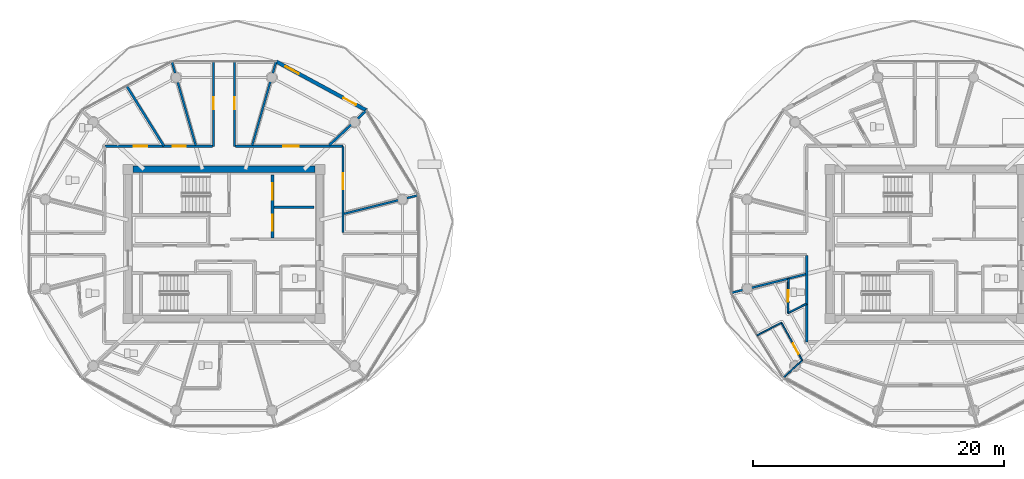
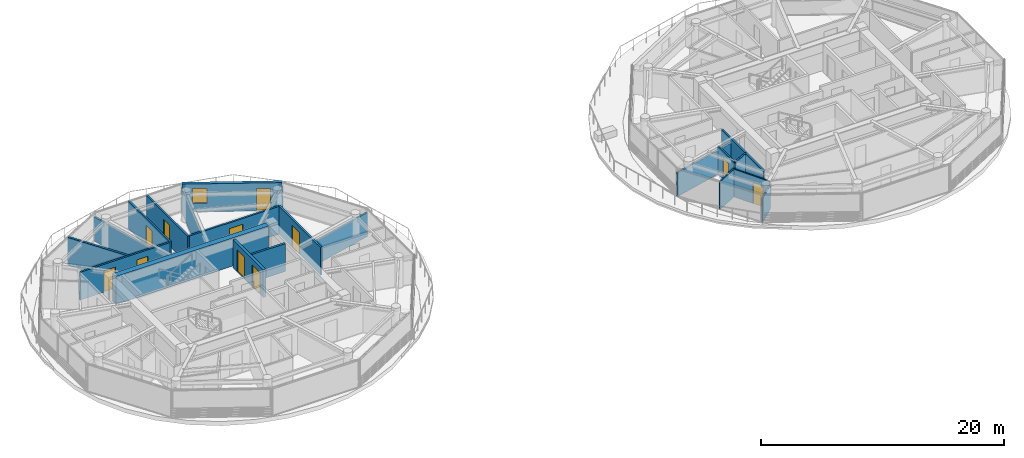
# One storey, part 12 of 28: 21 walls, 11 doors, 1 window, 12 openings.
"""IFC4 building model written with IfcOpenShell, lengths in metres."""

from ifc_helpers import new_model, si_unit, direction, frame, frame_2d, origin, place, context, subcontext, project, spatial, rectangle, extrude, source, transform, mapped, material, layer, layer_set, type_object, type_shapes, element, fill, save


model = new_model("IFC4")

# Units and contexts
model_context = context("Model", 3, precision=1e-05, world=origin(), true_north=direction((0.0, 1.0)))
body_context = subcontext(model_context, "Body", "Model", "MODEL_VIEW")
ifc_project = project(units=[si_unit("LENGTHUNIT", "METRE"), si_unit("AREAUNIT", "SQUARE_METRE"), si_unit("VOLUMEUNIT", "CUBIC_METRE"), si_unit("PLANEANGLEUNIT", "RADIAN"), si_unit("MASSUNIT", "GRAM", prefix="KILO")], contexts=[model_context])

# Site, building, storey
site_placement = place(None, origin())
site = spatial("IfcSite", under=ifc_project, at=site_placement, CompositionType="ELEMENT")
building_placement = place(site_placement, origin())
building = spatial("IfcBuilding", under=site, at=building_placement, Name="Norrkilde Senior Care Towers", CompositionType="ELEMENT")
storey_placement = place(building_placement, frame((0.0, 0.0, 190.64990234375)))
storey = spatial("IfcBuildingStorey", under=building, at=storey_placement, Name="L59", CompositionType="ELEMENT", Elevation=190.64990234375)

# Wall
ifc_material_1 = material(Name="Concrete C50/60", Category="concrete")
ifc_layer_1 = layer(ifc_material_1, 0.52001953125)
ifc_layer_set_1 = layer_set([ifc_layer_1], Name="Concrete C50/60")
wall_type_1 = type_object("IfcWallType", Name="Core Shear Wall Z4 520", PredefinedType="SHEAR", material=ifc_layer_set_1)
shared_shape_1 = source(origin(), body_context, "Body", "SweptSolid", [
    extrude(rectangle(XDim=14.5, YDim=0.52001953125, at=frame_2d((7.25, 0.0))), origin(), (0.0, 0.0, 1.0), 2.81005859375),
])
type_shapes(wall_type_1, [shared_shape_1])
wall_1_placement = place(storey_placement, frame((-35.25, 5.949951171875, 0.0), z_axis=(0.0, 0.0, 1.0), x_axis=(1.0, 0.0, 0.0)))
element("IfcWall", 1, at=wall_1_placement, inside=storey, type_object=wall_type_1, Name="L59 Core W North Shear Wall", PredefinedType="SHEAR", context=body_context, shape_type="MappedRepresentation", body=[
    mapped(shared_shape_1, transform((0.0, 0.0, 0.0), x_axis=(1.0, 0.0, 0.0), y_axis=(0.0, 1.0, 0.0), z_axis=(0.0, 0.0, 1.0), scale=1.0)),
])

# Wall, openings, door, window
ifc_material_2 = material(Name="Precast concrete C45/55", Category="concrete")
ifc_layer_2 = layer(ifc_material_2, 0.2900390625)
ifc_layer_set_2 = layer_set([ifc_layer_2], Name="Precast concrete C45/55")
wall_type_2 = type_object("IfcWallType", Name="Winter Garden Facade Wall 290", PredefinedType="SOLIDWALL", material=ifc_layer_set_2)
shared_shape_2 = source(origin(), body_context, "Body", "SweptSolid", [
    extrude(rectangle(XDim=8.197265625, YDim=0.2900390625, at=frame_2d((4.0986328125, 0.0))), origin(), (0.0, 0.0, 1.0), 2.81005859375),
])
type_shapes(wall_type_2, [shared_shape_2])
wall_2_placement = place(storey_placement, frame((-23.838134765625, 14.566162109375, 0.0), z_axis=(0.0, 0.0, 1.0), x_axis=(0.879369910001, -0.476139224791, 0.0)))
wall_2 = element("IfcWall", 2, at=wall_2_placement, inside=storey, type_object=wall_type_2, Name="L59 Drum W Balcony Access Wall 01", PredefinedType="SOLIDWALL", context=body_context, shape_type="MappedRepresentation", body=[
    mapped(shared_shape_2, transform((0.0, 0.0, 0.0), x_axis=(1.0, 0.0, 0.0), y_axis=(0.0, 1.0, 0.0), z_axis=(0.0, 0.0, 1.0), scale=1.0)),
])
opening_1_placement = place(wall_2_placement, frame((6.10009765625, 0.0, 0.0)))
opening_1 = element("IfcOpeningElement", 3, at=opening_1_placement, cuts=wall_2, Name="Opening D-09", PredefinedType="OPENING", context=body_context, shape_type="SweptSolid", body=[
    extrude(rectangle(XDim=1.14990234375, YDim=2.25, at=frame_2d((0.574951171875, 1.125))), frame((0.0, 0.155029296875, 0.0), z_axis=(0.0, -1.0, 0.0), x_axis=(1.0, 0.0, 0.0)), (0.0, 0.0, 1.0), 0.31005859375),
])
opening_2_placement = place(wall_2_placement, frame((0.85009765625, 0.0, 0.85009765625)))
opening_2 = element("IfcOpeningElement", 4, at=opening_2_placement, cuts=wall_2, Name="Opening WN-07", PredefinedType="OPENING", context=body_context, shape_type="SweptSolid", body=[
    extrude(rectangle(XDim=1.199951171875, YDim=1.5, at=frame_2d((0.60009765625, 0.75))), frame((0.0, 0.155029296875, 0.0), z_axis=(0.0, -1.0, 0.0), x_axis=(1.0, 0.0, 0.0)), (0.0, 0.0, 1.0), 0.31005859375),
])
ifc_material_3 = material(Name="Anodised Aluminium", Category="aluminium")
door_type_1 = type_object("IfcDoorType", Name="Terrace and Balcony Glazed Door 1150x2250", OperationType="NOTDEFINED", PredefinedType="DOOR", material=ifc_material_3)
shared_shape_3 = source(origin(), body_context, "Body", "SweptSolid", [
    extrude(rectangle(XDim=1.14990234375, YDim=2.25, at=frame_2d((0.574951171875, 1.125))), frame((0.0, 0.02490234375, 0.0), z_axis=(0.0, -1.0, 0.0), x_axis=(1.0, 0.0, 0.0)), (0.0, 0.0, 1.0), 0.050048828125),
])
type_shapes(door_type_1, [shared_shape_3])
door_1_placement = place(opening_1_placement, origin())
door_1 = element("IfcDoor", 5, at=door_1_placement, inside=storey, type_object=door_type_1, Name="L59 Drum W Outdoor Terrace Door 01", OperationType="SINGLE_SWING_RIGHT", OverallHeight=2.25, OverallWidth=1.14990234375, PredefinedType="DOOR", context=body_context, shape_type="MappedRepresentation", body=[
    mapped(shared_shape_3, transform((0.0, 0.0, 0.0), x_axis=(1.0, 0.0, 0.0), y_axis=(0.0, 1.0, 0.0), z_axis=(0.0, 0.0, 1.0), scale=1.0)),
])
fill(opening_1, door_1)
ifc_material_4 = material(Name="Triple Low-E Insulated Glazing", Category="glass")
window_type = type_object("IfcWindowType", Name="Stairwell Smoke Vent Window 1200x1500", PartitioningType="SINGLE_PANEL", PredefinedType="WINDOW", material=ifc_material_4)
shared_shape_4 = source(origin(), body_context, "Body", "SweptSolid", [
    extrude(rectangle(XDim=1.199951171875, YDim=1.5, at=frame_2d((0.60009765625, 0.75))), frame((0.0, 0.030029296875, 0.0), z_axis=(0.0, -1.0, 0.0), x_axis=(1.0, 0.0, 0.0)), (0.0, 0.0, 1.0), 0.06005859375),
])
type_shapes(window_type, [shared_shape_4])
window_placement = place(opening_2_placement, origin())
window = element("IfcWindow", 6, at=window_placement, inside=storey, type_object=window_type, Name="L59 Drum W Winter Garden Window 01", OverallHeight=1.5, OverallWidth=1.199951171875, PartitioningType="SINGLE_PANEL", PredefinedType="WINDOW", context=body_context, shape_type="MappedRepresentation", body=[
    mapped(shared_shape_4, transform((0.0, 0.0, 0.0), x_axis=(1.0, 0.0, 0.0), y_axis=(0.0, 1.0, 0.0), z_axis=(0.0, 0.0, 1.0), scale=1.0)),
])
fill(opening_2, window)

# Wall, openings, doors
ifc_material_5 = material(Name="Concrete C45/55", Category="concrete")
ifc_layer_3 = layer(ifc_material_5, 0.239990234375)
ifc_layer_set_3 = layer_set([ifc_layer_3], Name="Concrete C45/55")
wall_type_3 = type_object("IfcWallType", Name="Lift and Plant Rated Enclosure Partition 240", PredefinedType="PARTITIONING", material=ifc_layer_set_3)
shared_shape_5 = source(origin(), body_context, "Body", "SweptSolid", [
    extrude(rectangle(XDim=5.0, YDim=0.239990234375, at=frame_2d((2.5, 0.0))), origin(), (0.0, 0.0, 1.0), 2.795166015625),
])
type_shapes(wall_type_3, [shared_shape_5])
wall_3_placement = place(storey_placement, frame((-24.139892578125, 0.5, 0.0), z_axis=(0.0, 0.0, 1.0), x_axis=(0.0, 1.0, 0.0)))
wall_3 = element("IfcWall", 7, at=wall_3_placement, inside=storey, type_object=wall_type_3, Name="WL-INT-L59-W-FFLE", PredefinedType="PARTITIONING", context=body_context, shape_type="MappedRepresentation", body=[
    mapped(shared_shape_5, transform((0.0, 0.0, 0.0), x_axis=(1.0, 0.0, 0.0), y_axis=(0.0, 1.0, 0.0), z_axis=(0.0, 0.0, 1.0), scale=1.0)),
])
opening_3_placement = place(wall_3_placement, frame((3.050048828125, 0.0, 0.0)))
opening_3 = element("IfcOpeningElement", 8, at=opening_3_placement, cuts=wall_3, Name="Opening LD-02", PredefinedType="OPENING", context=body_context, shape_type="SweptSolid", body=[
    extrude(rectangle(XDim=1.300048828125, YDim=2.199951171875, at=frame_2d((0.64990234375, 1.10009765625))), frame((0.0, 0.1298828125, 0.0), z_axis=(0.0, -1.0, 0.0), x_axis=(1.0, 0.0, 0.0)), (0.0, 0.0, 1.0), 0.260009765625),
])
opening_4_placement = place(wall_3_placement, frame((0.550048828125, 0.0, 0.0)))
opening_4 = element("IfcOpeningElement", 9, at=opening_4_placement, cuts=wall_3, Name="Opening LD-02", PredefinedType="OPENING", context=body_context, shape_type="SweptSolid", body=[
    extrude(rectangle(XDim=1.300048828125, YDim=2.199951171875, at=frame_2d((0.64990234375, 1.10009765625))), frame((0.0, 0.1298828125, 0.0), z_axis=(0.0, -1.0, 0.0), x_axis=(1.0, 0.0, 0.0)), (0.0, 0.0, 1.0), 0.260009765625),
])
ifc_material_6 = material(Name="Stainless Steel", Category="steel")
door_type_2 = type_object("IfcDoorType", Name="Stretcher and FFL Landing Sliding Door 1300x2200", OperationType="NOTDEFINED", PredefinedType="DOOR", material=ifc_material_6)
shared_shape_6 = source(origin(), body_context, "Body", "SweptSolid", [
    extrude(rectangle(XDim=1.300048828125, YDim=2.199951171875, at=frame_2d((0.64990234375, 1.10009765625))), frame((0.0, 0.02490234375, 0.0), z_axis=(0.0, -1.0, 0.0), x_axis=(1.0, 0.0, 0.0)), (0.0, 0.0, 1.0), 0.050048828125),
])
type_shapes(door_type_2, [shared_shape_6])
door_2_placement = place(opening_3_placement, origin())
door_2 = element("IfcDoor", 10, at=door_2_placement, inside=storey, type_object=door_type_2, Name="L59 Firefighting Lift W1 Landing Door", OperationType="SLIDING_TO_LEFT", OverallHeight=2.199951171875, OverallWidth=1.300048828125, PredefinedType="DOOR", context=body_context, shape_type="MappedRepresentation", body=[
    mapped(shared_shape_6, transform((0.0, 0.0, 0.0), x_axis=(1.0, 0.0, 0.0), y_axis=(0.0, 1.0, 0.0), z_axis=(0.0, 0.0, 1.0), scale=1.0)),
])
fill(opening_3, door_2)
door_3_placement = place(opening_4_placement, origin())
door_3 = element("IfcDoor", 11, at=door_3_placement, inside=storey, type_object=door_type_2, Name="L59 Stretcher Lift W1 Landing Door", OperationType="SLIDING_TO_RIGHT", OverallHeight=2.199951171875, OverallWidth=1.300048828125, PredefinedType="DOOR", context=body_context, shape_type="MappedRepresentation", body=[
    mapped(shared_shape_6, transform((0.0, 0.0, 0.0), x_axis=(1.0, 0.0, 0.0), y_axis=(0.0, 1.0, 0.0), z_axis=(0.0, 0.0, 1.0), scale=1.0)),
])
fill(opening_4, door_3)

# Wall
ifc_layer_4 = layer(ifc_material_5, 0.199951171875)
ifc_layer_set_4 = layer_set([ifc_layer_4], Name="Concrete C45/55")
wall_type_4 = type_object("IfcWallType", Name="Shaft Division and Plant Partition 200", PredefinedType="PARTITIONING", material=ifc_layer_set_4)
shared_shape_7 = source(origin(), body_context, "Body", "SweptSolid", [
    extrude(rectangle(XDim=3.199951171875, YDim=0.199951171875, at=frame_2d((1.60009765625, 0.0))), origin(), (0.0, 0.0, 1.0), 2.795166015625),
])
type_shapes(wall_type_4, [shared_shape_7])
wall_4_placement = place(storey_placement, frame((-24.0, 2.949951171875, 0.0), z_axis=(0.0, 0.0, 1.0), x_axis=(1.0, 0.0, 0.0)))
element("IfcWall", 12, at=wall_4_placement, inside=storey, type_object=wall_type_4, Name="WL-INT-L59-W-FFLDIV", PredefinedType="PARTITIONING", context=body_context, shape_type="MappedRepresentation", body=[
    mapped(shared_shape_7, transform((0.0, 0.0, 0.0), x_axis=(1.0, 0.0, 0.0), y_axis=(0.0, 1.0, 0.0), z_axis=(0.0, 0.0, 1.0), scale=1.0)),
])

# Wall, openings, doors
ifc_material_7 = material(Name="Gypsum Acoustic Board")
ifc_layer_5 = layer(ifc_material_7, 0.1650390625)
ifc_layer_set_5 = layer_set([ifc_layer_5], Name="Gypsum Acoustic Board")
wall_type_5 = type_object("IfcWallType", Name="Corridor Rated Partition 165", PredefinedType="PARTITIONING", material=ifc_layer_set_5)
shared_shape_8 = source(origin(), body_context, "Body", "SweptSolid", [
    extrude(rectangle(XDim=8.580078125, YDim=0.1650390625, at=frame_2d((4.2900390625, 0.0))), origin(), (0.0, 0.0, 1.0), 2.795166015625),
])
wall_5_placement = place(storey_placement, frame((-37.5, 7.800048828125, 0.0), z_axis=(0.0, 0.0, 1.0), x_axis=(1.0, 0.0, 0.0)))
wall_5 = element("IfcWall", 13, at=wall_5_placement, inside=storey, type_object=wall_type_5, Name="WL-INT-L59-W-CRW-N-0", PredefinedType="PARTITIONING", context=body_context, shape_type="MappedRepresentation", body=[
    mapped(shared_shape_8, transform((0.0, 0.0, 0.0), x_axis=(1.0, 0.0, 0.0), y_axis=(0.0, 1.0, 0.0), z_axis=(0.0, 0.0, 1.0), scale=1.0)),
])
opening_5_placement = place(wall_5_placement, frame((5.40771484375, 0.0, 0.0)))
opening_5 = element("IfcOpeningElement", 14, at=opening_5_placement, cuts=wall_5, Name="Opening D-06", PredefinedType="OPENING", context=body_context, shape_type="SweptSolid", body=[
    extrude(rectangle(XDim=1.050048828125, YDim=2.14990234375, at=frame_2d((0.52490234375, 1.074951171875))), frame((0.0, 0.092529296875, 0.0), z_axis=(0.0, -1.0, 0.0), x_axis=(1.0, 0.0, 0.0)), (0.0, 0.0, 1.0), 0.18505859375),
])
opening_6_placement = place(wall_5_placement, frame((2.316650390625, 0.0, 0.0)))
opening_6 = element("IfcOpeningElement", 15, at=opening_6_placement, cuts=wall_5, Name="Opening D-06", PredefinedType="OPENING", context=body_context, shape_type="SweptSolid", body=[
    extrude(rectangle(XDim=1.050048828125, YDim=2.14990234375, at=frame_2d((0.52490234375, 1.074951171875))), frame((0.0, 0.092529296875, 0.0), z_axis=(0.0, -1.0, 0.0), x_axis=(1.0, 0.0, 0.0)), (0.0, 0.0, 1.0), 0.18505859375),
])
ifc_material_8 = material(Name="Nordic Ash Timber", Category="wood")
door_type_3 = type_object("IfcDoorType", Name="Apartment Entrance Fire Door 1050x2150", OperationType="NOTDEFINED", PredefinedType="DOOR", material=ifc_material_8)
shared_shape_9 = source(origin(), body_context, "Body", "SweptSolid", [
    extrude(rectangle(XDim=1.050048828125, YDim=2.14990234375, at=frame_2d((0.52490234375, 1.074951171875))), frame((0.0, 0.02490234375, 0.0), z_axis=(0.0, -1.0, 0.0), x_axis=(1.0, 0.0, 0.0)), (0.0, 0.0, 1.0), 0.050048828125),
])
type_shapes(door_type_3, [shared_shape_9])
door_4_placement = place(opening_5_placement, frame((1.050048828125, 0.0, 0.0), z_axis=(0.0, 0.0, 1.0), x_axis=(-1.0, 0.0, 0.0)))
door_4 = element("IfcDoor", 16, at=door_4_placement, inside=storey, type_object=door_type_3, Name="L59 Physiotherapy Clinic 3A Door", OperationType="SINGLE_SWING_RIGHT", OverallHeight=2.14990234375, OverallWidth=1.050048828125, PredefinedType="DOOR", context=body_context, shape_type="MappedRepresentation", body=[
    mapped(shared_shape_9, transform((0.0, 0.0, 0.0), x_axis=(1.0, 0.0, 0.0), y_axis=(0.0, 1.0, 0.0), z_axis=(0.0, 0.0, 1.0), scale=1.0)),
])
fill(opening_5, door_4)
door_5_placement = place(opening_6_placement, frame((1.050048828125, 0.0, 0.0), z_axis=(0.0, 0.0, 1.0), x_axis=(-1.0, 0.0, 0.0)))
door_5 = element("IfcDoor", 17, at=door_5_placement, inside=storey, type_object=door_type_3, Name="L59 Assessment Clinic 3B Door", OperationType="SINGLE_SWING_LEFT", OverallHeight=2.14990234375, OverallWidth=1.050048828125, PredefinedType="DOOR", context=body_context, shape_type="MappedRepresentation", body=[
    mapped(shared_shape_9, transform((0.0, 0.0, 0.0), x_axis=(1.0, 0.0, 0.0), y_axis=(0.0, 1.0, 0.0), z_axis=(0.0, 0.0, 1.0), scale=1.0)),
])
fill(opening_6, door_5)

# Wall, opening, door
wall_6_placement = place(storey_placement, frame((-27.080078125, 7.800048828125, 0.0), z_axis=(0.0, 0.0, 1.0), x_axis=(1.0, 0.0, 0.0)))
wall_6 = element("IfcWall", 18, at=wall_6_placement, inside=storey, type_object=wall_type_5, Name="WL-INT-L59-W-CRW-N-1", PredefinedType="PARTITIONING", context=body_context, shape_type="MappedRepresentation", body=[
    mapped(shared_shape_8, transform((0.0, 0.0, 0.0), x_axis=(1.0, 0.0, 0.0), y_axis=(0.0, 1.0, 0.0), z_axis=(0.0, 0.0, 1.0), scale=1.0)),
])
opening_7_placement = place(wall_6_placement, frame((3.802490234375, 0.0, 0.0)))
opening_7 = element("IfcOpeningElement", 19, at=opening_7_placement, cuts=wall_6, Name="Opening D-05", PredefinedType="OPENING", context=body_context, shape_type="SweptSolid", body=[
    extrude(rectangle(XDim=1.25, YDim=2.199951171875, at=frame_2d((0.625, 1.10009765625))), frame((0.0, 0.092529296875, 0.0), z_axis=(0.0, -1.0, 0.0), x_axis=(1.0, 0.0, 0.0)), (0.0, 0.0, 1.0), 0.18505859375),
])
door_type_4 = type_object("IfcDoorType", Name="Care Bedroom Bariatric Door 1250x2200", OperationType="NOTDEFINED", PredefinedType="DOOR", material=ifc_material_8)
shared_shape_10 = source(origin(), body_context, "Body", "SweptSolid", [
    extrude(rectangle(XDim=1.25, YDim=2.199951171875, at=frame_2d((0.625, 1.10009765625))), frame((0.0, 0.02490234375, 0.0), z_axis=(0.0, -1.0, 0.0), x_axis=(1.0, 0.0, 0.0)), (0.0, 0.0, 1.0), 0.050048828125),
])
type_shapes(door_type_4, [shared_shape_10])
door_6_placement = place(opening_7_placement, frame((1.25, 0.0, 0.0), z_axis=(0.0, 0.0, 1.0), x_axis=(-1.0, 0.0, 0.0)))
door_6 = element("IfcDoor", 20, at=door_6_placement, inside=storey, type_object=door_type_4, Name="L59 Senior Wellness Library Lounge Door", OperationType="SINGLE_SWING_RIGHT", OverallHeight=2.199951171875, OverallWidth=1.25, PredefinedType="DOOR", context=body_context, shape_type="MappedRepresentation", body=[
    mapped(shared_shape_10, transform((0.0, 0.0, 0.0), x_axis=(1.0, 0.0, 0.0), y_axis=(0.0, 1.0, 0.0), z_axis=(0.0, 0.0, 1.0), scale=1.0)),
])
fill(opening_7, door_6)

shared_shape_11 = source(origin(), body_context, "Body", "SweptSolid", [
    extrude(rectangle(XDim=6.880126953125, YDim=0.1650390625, at=frame_2d((3.43994140625, 0.0))), origin(), (0.0, 0.0, 1.0), 2.795166015625),
])
wall_7_placement = place(storey_placement, frame((-18.5, 7.800048828125, 0.0), z_axis=(0.0, 0.0, 1.0), x_axis=(0.0, -1.0, 0.0)))
wall_7 = element("IfcWall", 21, at=wall_7_placement, inside=storey, type_object=wall_type_5, Name="WL-INT-L59-W-CRW-E-0", PredefinedType="PARTITIONING", context=body_context, shape_type="MappedRepresentation", body=[
    mapped(shared_shape_11, transform((0.0, 0.0, 0.0), x_axis=(1.0, 0.0, 0.0), y_axis=(0.0, 1.0, 0.0), z_axis=(0.0, 0.0, 1.0), scale=1.0)),
])
opening_8_placement = place(wall_7_placement, frame((2.165771484375, 0.0, 0.0)))
opening_8 = element("IfcOpeningElement", 22, at=opening_8_placement, cuts=wall_7, Name="Opening D-05", PredefinedType="OPENING", context=body_context, shape_type="SweptSolid", body=[
    extrude(rectangle(XDim=1.25, YDim=2.199951171875, at=frame_2d((0.625, 1.10009765625))), frame((0.0, 0.092529296875, 0.0), z_axis=(0.0, -1.0, 0.0), x_axis=(1.0, 0.0, 0.0)), (0.0, 0.0, 1.0), 0.18505859375),
])
door_7_placement = place(opening_8_placement, frame((1.25, 0.0, 0.0), z_axis=(0.0, 0.0, 1.0), x_axis=(-1.0, 0.0, 0.0)))
door_7 = element("IfcDoor", 23, at=door_7_placement, inside=storey, type_object=door_type_4, Name="L59 Sky-Garden Observatory Dining Salon L59 Door", OperationType="SINGLE_SWING_LEFT", OverallHeight=2.199951171875, OverallWidth=1.25, PredefinedType="DOOR", context=body_context, shape_type="MappedRepresentation", body=[
    mapped(shared_shape_10, transform((0.0, 0.0, 0.0), x_axis=(1.0, 0.0, 0.0), y_axis=(0.0, 1.0, 0.0), z_axis=(0.0, 0.0, 1.0), scale=1.0)),
])
fill(opening_8, door_7)

# Walls
wall_8_placement = place(storey_placement, frame((18.5, -7.800048828125, 0.0), z_axis=(0.0, 0.0, 1.0), x_axis=(0.0, 1.0, 0.0)))
element("IfcWall", 24, at=wall_8_placement, inside=storey, type_object=wall_type_5, Name="WL-INT-L59-E-CRW-W-0", PredefinedType="PARTITIONING", context=body_context, shape_type="MappedRepresentation", body=[
    mapped(shared_shape_11, transform((0.0, 0.0, 0.0), x_axis=(1.0, 0.0, 0.0), y_axis=(0.0, 1.0, 0.0), z_axis=(0.0, 0.0, 1.0), scale=1.0)),
])
shared_shape_12 = source(origin(), body_context, "Body", "SweptSolid", [
    extrude(rectangle(XDim=6.973876953125, YDim=0.1650390625, at=frame_2d((3.48681640625, 0.0))), origin(), (0.0, 0.0, 1.0), 2.39501953125),
])
for number, where, z_axis, x_axis, name in (
    (25, (-25.748779296875, 7.8798828125, 0.0), (0.0, 0.0, 1.0), (0.274707256801, 0.961527910703, 0.0), "WL-INT-L59-W-DEM-02-0"),
    (26, (-30.251220703125, 7.8798828125, 0.0), (0.0, 0.0, 1.0), (-0.274707256801, 0.961527910703, 0.0), "WL-INT-L59-W-DEM-03-0"),
):
    element("IfcWall", number, at=place(storey_placement, frame(where, z_axis=z_axis, x_axis=x_axis)), inside=storey, type_object=wall_type_5, Name=name, PredefinedType="PARTITIONING", context=body_context, shape_type="MappedRepresentation", body=[
        mapped(shared_shape_12, transform((0.0, 0.0, 0.0), x_axis=(1.0, 0.0, 0.0), y_axis=(0.0, 1.0, 0.0), z_axis=(0.0, 0.0, 1.0), scale=1.0)),
    ])
shared_shape_13 = source(origin(), body_context, "Body", "SweptSolid", [
    extrude(rectangle(XDim=6.1572265625, YDim=0.1650390625, at=frame_2d((3.07861328125, 0.0))), origin(), (0.0, 0.0, 1.0), 2.39501953125),
])
for number, where, z_axis, x_axis, name in (
    (27, (-18.419921875, 2.407470703125, 0.0), (0.0, 0.0, 1.0), (0.969840867184, 0.243738984038, 0.0), "WL-INT-L59-W-DEM-00-0"),
    (28, (18.419921875, -2.407470703125, 0.0), (0.0, 0.0, 1.0), (-0.969840867184, -0.243738984038, 0.0), "WL-INT-L59-E-DEM-06-0"),
):
    element("IfcWall", number, at=place(storey_placement, frame(where, z_axis=z_axis, x_axis=x_axis)), inside=storey, type_object=wall_type_5, Name=name, PredefinedType="PARTITIONING", context=body_context, shape_type="MappedRepresentation", body=[
        mapped(shared_shape_13, transform((0.0, 0.0, 0.0), x_axis=(1.0, 0.0, 0.0), y_axis=(0.0, 1.0, 0.0), z_axis=(0.0, 0.0, 1.0), scale=1.0)),
    ])

# Wall, opening, door
shared_shape_14 = source(origin(), body_context, "Body", "SweptSolid", [
    extrude(rectangle(XDim=6.83544921875, YDim=0.1650390625, at=frame_2d((3.417724609375, 0.0))), origin(), (0.0, 0.0, 1.0), 2.795166015625),
])
type_shapes(wall_type_5, [shared_shape_8, shared_shape_11, shared_shape_12, shared_shape_13, shared_shape_14])
wall_9_placement = place(storey_placement, frame((-28.840087890625, 7.800048828125, 0.0), z_axis=(0.0, 0.0, 1.0), x_axis=(0.0, 1.0, 0.0)))
wall_9 = element("IfcWall", 29, at=wall_9_placement, inside=storey, type_object=wall_type_5, Name="WL-INT-L59-W-SPK-N1-0", PredefinedType="PARTITIONING", context=body_context, shape_type="MappedRepresentation", body=[
    mapped(shared_shape_14, transform((0.0, 0.0, 0.0), x_axis=(1.0, 0.0, 0.0), y_axis=(0.0, 1.0, 0.0), z_axis=(0.0, 0.0, 1.0), scale=1.0)),
])
opening_9_placement = place(wall_9_placement, frame((2.942626953125, 0.0, 0.0)))
opening_9 = element("IfcOpeningElement", 30, at=opening_9_placement, cuts=wall_9, Name="Opening D-07", PredefinedType="OPENING", context=body_context, shape_type="SweptSolid", body=[
    extrude(rectangle(XDim=0.949951171875, YDim=2.10009765625, at=frame_2d((0.47509765625, 1.050048828125))), frame((0.0, 0.092529296875, 0.0), z_axis=(0.0, -1.0, 0.0), x_axis=(1.0, 0.0, 0.0)), (0.0, 0.0, 1.0), 0.18505859375),
])
door_type_5 = type_object("IfcDoorType", Name="Internal Suite Bedroom Door 950x2100", OperationType="NOTDEFINED", PredefinedType="DOOR", material=ifc_material_8)
shared_shape_15 = source(origin(), body_context, "Body", "SweptSolid", [
    extrude(rectangle(XDim=0.949951171875, YDim=2.10009765625, at=frame_2d((0.47509765625, 1.050048828125))), frame((0.0, 0.02490234375, 0.0), z_axis=(0.0, -1.0, 0.0), x_axis=(1.0, 0.0, 0.0)), (0.0, 0.0, 1.0), 0.050048828125),
])
type_shapes(door_type_5, [shared_shape_15])
door_8_placement = place(opening_9_placement, frame((0.949951171875, 0.0, 0.0), z_axis=(0.0, 0.0, 1.0), x_axis=(-1.0, 0.0, 0.0)))
door_8 = element("IfcDoor", 31, at=door_8_placement, inside=storey, type_object=door_type_5, Name="L59 Sun Reading Lounge 3 Door", OperationType="SINGLE_SWING_RIGHT", OverallHeight=2.10009765625, OverallWidth=0.949951171875, PredefinedType="DOOR", context=body_context, shape_type="MappedRepresentation", body=[
    mapped(shared_shape_15, transform((0.0, 0.0, 0.0), x_axis=(1.0, 0.0, 0.0), y_axis=(0.0, 1.0, 0.0), z_axis=(0.0, 0.0, 1.0), scale=1.0)),
])
fill(opening_9, door_8)

wall_10_placement = place(storey_placement, frame((-27.159912109375, 14.635498046875, 0.0), z_axis=(0.0, 0.0, 1.0), x_axis=(0.0, -1.0, 0.0)))
wall_10 = element("IfcWall", 32, at=wall_10_placement, inside=storey, type_object=wall_type_5, Name="WL-INT-L59-W-SPK-N2-0", PredefinedType="PARTITIONING", context=body_context, shape_type="MappedRepresentation", body=[
    mapped(shared_shape_14, transform((0.0, 0.0, 0.0), x_axis=(1.0, 0.0, 0.0), y_axis=(0.0, 1.0, 0.0), z_axis=(0.0, 0.0, 1.0), scale=1.0)),
])
opening_10_placement = place(wall_10_placement, frame((2.942626953125, 0.0, 0.0)))
opening_10 = element("IfcOpeningElement", 33, at=opening_10_placement, cuts=wall_10, Name="Opening D-07", PredefinedType="OPENING", context=body_context, shape_type="SweptSolid", body=[
    extrude(rectangle(XDim=0.949951171875, YDim=2.10009765625, at=frame_2d((0.47509765625, 1.050048828125))), frame((0.0, 0.092529296875, 0.0), z_axis=(0.0, -1.0, 0.0), x_axis=(1.0, 0.0, 0.0)), (0.0, 0.0, 1.0), 0.18505859375),
])
door_9_placement = place(opening_10_placement, frame((0.949951171875, 0.0, 0.0), z_axis=(0.0, 0.0, 1.0), x_axis=(-1.0, 0.0, 0.0)))
door_9 = element("IfcDoor", 34, at=door_9_placement, inside=storey, type_object=door_type_5, Name="L59 Sun Reading Lounge 4 Door", OperationType="SINGLE_SWING_LEFT", OverallHeight=2.10009765625, OverallWidth=0.949951171875, PredefinedType="DOOR", context=body_context, shape_type="MappedRepresentation", body=[
    mapped(shared_shape_15, transform((0.0, 0.0, 0.0), x_axis=(1.0, 0.0, 0.0), y_axis=(0.0, 1.0, 0.0), z_axis=(0.0, 0.0, 1.0), scale=1.0)),
])
fill(opening_10, door_9)

# Walls
ifc_layer_6 = layer(ifc_material_7, 0.18994140625)
ifc_layer_set_6 = layer_set([ifc_layer_6], Name="Gypsum Acoustic Board")
wall_type_6 = type_object("IfcWallType", Name="Unit Demising Acoustic Wall 190", PredefinedType="PARTITIONING", material=ifc_layer_set_6)
shared_shape_16 = source(origin(), body_context, "Body", "SweptSolid", [
    extrude(rectangle(XDim=4.089111328125, YDim=0.18994140625, at=frame_2d((2.04443359375, 0.0))), origin(), (0.0, 0.0, 1.0), 2.39501953125),
])
wall_11_placement = place(storey_placement, frame((-19.59814453125, 7.8798828125, 0.0), z_axis=(0.0, 0.0, 1.0), x_axis=(0.729401273609, 0.684086092577, 0.0)))
element("IfcWall", 35, at=wall_11_placement, inside=storey, type_object=wall_type_6, Name="WL-INT-L59-W-DEM-01-0", PredefinedType="PARTITIONING", context=body_context, shape_type="MappedRepresentation", body=[
    mapped(shared_shape_16, transform((0.0, 0.0, 0.0), x_axis=(1.0, 0.0, 0.0), y_axis=(0.0, 1.0, 0.0), z_axis=(0.0, 0.0, 1.0), scale=1.0)),
])
shared_shape_17 = source(origin(), body_context, "Body", "SweptSolid", [
    extrude(rectangle(XDim=5.65185546875, YDim=0.18994140625, at=frame_2d((2.825927734375, 0.0))), origin(), (0.0, 0.0, 1.0), 2.795166015625),
])
type_shapes(wall_type_6, [shared_shape_16, shared_shape_17])
wall_12_placement = place(storey_placement, frame((-32.7939453125, 7.830078125, 0.0), z_axis=(0.0, 0.0, 1.0), x_axis=(-0.527566076956, 0.84951399897, 0.0)))
element("IfcWall", 36, at=wall_12_placement, inside=storey, type_object=wall_type_6, Name="WL-INT-L59-W-MID-03", PredefinedType="PARTITIONING", context=body_context, shape_type="MappedRepresentation", body=[
    mapped(shared_shape_17, transform((0.0, 0.0, 0.0), x_axis=(1.0, 0.0, 0.0), y_axis=(0.0, 1.0, 0.0), z_axis=(0.0, 0.0, 1.0), scale=1.0)),
])
ifc_layer_7 = layer(ifc_material_7, 0.114990234375)
ifc_layer_set_7 = layer_set([ifc_layer_7], Name="Gypsum Acoustic Board")
wall_type_7 = type_object("IfcWallType", Name="Internal Room Partition 115", PredefinedType="PARTITIONING", material=ifc_layer_set_7)
shared_shape_18 = source(origin(), body_context, "Body", "SweptSolid", [
    extrude(rectangle(XDim=2.071533203125, YDim=0.114990234375, at=frame_2d((1.03564453125, 0.0))), origin(), (0.0, 0.0, 1.0), 2.39501953125),
])
wall_13_placement = place(storey_placement, frame((18.1513671875, -9.287109375, 0.0), z_axis=(0.0, 0.0, 1.0), x_axis=(-0.741410125356, -0.671052178314, 0.0)))
element("IfcWall", 37, at=wall_13_placement, inside=storey, type_object=wall_type_7, Name="WL-INT-L59-E-UBR-06-1", PredefinedType="PARTITIONING", context=body_context, shape_type="MappedRepresentation", body=[
    mapped(shared_shape_18, transform((0.0, 0.0, 0.0), x_axis=(1.0, 0.0, 0.0), y_axis=(0.0, 1.0, 0.0), z_axis=(0.0, 0.0, 1.0), scale=1.0)),
])
ifc_layer_8 = layer(ifc_material_7, 0.139892578125)
ifc_layer_set_8 = layer_set([ifc_layer_8], Name="Gypsum Acoustic Board")
wall_type_8 = type_object("IfcWallType", Name="En-suite Wet Room Wall 140", PredefinedType="PARTITIONING", material=ifc_layer_set_8)
shared_shape_19 = source(origin(), body_context, "Body", "SweptSolid", [
    extrude(rectangle(XDim=1.638427734375, YDim=0.139892578125, at=frame_2d((0.8193359375, 0.0))), origin(), (0.0, 0.0, 1.0), 2.795166015625),
])
wall_14_placement = place(storey_placement, frame((18.469970703125, -4.7783203125, 0.0), z_axis=(0.0, 0.0, 1.0), x_axis=(-0.893919977945, -0.448226586707, 0.0)))
element("IfcWall", 38, at=wall_14_placement, inside=storey, type_object=wall_type_8, Name="WL-INT-L59-E-UBTS-06", PredefinedType="PARTITIONING", context=body_context, shape_type="MappedRepresentation", body=[
    mapped(shared_shape_19, transform((0.0, 0.0, 0.0), x_axis=(1.0, 0.0, 0.0), y_axis=(0.0, 1.0, 0.0), z_axis=(0.0, 0.0, 1.0), scale=1.0)),
])

# Wall, opening, door
shared_shape_20 = source(origin(), body_context, "Body", "SweptSolid", [
    extrude(rectangle(XDim=2.7587890625, YDim=0.139892578125, at=frame_2d((1.37939453125, 0.0))), origin(), (0.0, 0.0, 1.0), 2.795166015625),
])
type_shapes(wall_type_8, [shared_shape_19, shared_shape_20])
wall_15_placement = place(storey_placement, frame((17.00537109375, -5.5126953125, 0.0), z_axis=(0.0, 0.0, 1.0), x_axis=(0.01194710728, 0.999928630767, 0.0)))
wall_15 = element("IfcWall", 39, at=wall_15_placement, inside=storey, type_object=wall_type_8, Name="WL-INT-L59-E-UBTF-06", PredefinedType="PARTITIONING", context=body_context, shape_type="MappedRepresentation", body=[
    mapped(shared_shape_20, transform((0.0, 0.0, 0.0), x_axis=(1.0, 0.0, 0.0), y_axis=(0.0, 1.0, 0.0), z_axis=(0.0, 0.0, 1.0), scale=1.0)),
])
opening_11_placement = place(wall_15_placement, frame((0.91943359375, 0.0, 0.0)))
opening_11 = element("IfcOpeningElement", 40, at=opening_11_placement, cuts=wall_15, Name="Opening D-08", PredefinedType="OPENING", context=body_context, shape_type="SweptSolid", body=[
    extrude(rectangle(XDim=0.919921875, YDim=2.10009765625, at=frame_2d((0.4599609375, 1.050048828125))), frame((0.0, 0.079833984375, 0.0), z_axis=(0.0, -1.0, 0.0), x_axis=(1.0, 0.0, 0.0)), (0.0, 0.0, 1.0), 0.159912109375),
])
door_type_6 = type_object("IfcDoorType", Name="Accessible Wet Room Door 920x2100", OperationType="NOTDEFINED", PredefinedType="DOOR", material=ifc_material_8)
shared_shape_21 = source(origin(), body_context, "Body", "SweptSolid", [
    extrude(rectangle(XDim=0.919921875, YDim=2.10009765625, at=frame_2d((0.4599609375, 1.050048828125))), frame((0.0, 0.02490234375, 0.0), z_axis=(0.0, -1.0, 0.0), x_axis=(1.0, 0.0, 0.0)), (0.0, 0.0, 1.0), 0.050048828125),
])
type_shapes(door_type_6, [shared_shape_21])
door_10_placement = place(opening_11_placement, origin())
door_10 = element("IfcDoor", 41, at=door_10_placement, inside=storey, type_object=door_type_6, Name="Apartment 59D Bathroom Door", OperationType="SINGLE_SWING_RIGHT", OverallHeight=2.10009765625, OverallWidth=0.919921875, PredefinedType="DOOR", context=body_context, shape_type="MappedRepresentation", body=[
    mapped(shared_shape_21, transform((0.0, 0.0, 0.0), x_axis=(1.0, 0.0, 0.0), y_axis=(0.0, 1.0, 0.0), z_axis=(0.0, 0.0, 1.0), scale=1.0)),
])
fill(opening_11, door_10)

# Wall
shared_shape_22 = source(origin(), body_context, "Body", "SweptSolid", [
    extrude(rectangle(XDim=2.193115234375, YDim=0.114990234375, at=frame_2d((1.0966796875, 0.0))), origin(), (0.0, 0.0, 1.0), 2.795166015625),
])
wall_16_placement = place(storey_placement, frame((16.474609375, -6.27490234375, 0.0), z_axis=(0.0, 0.0, 1.0), x_axis=(-0.885783595046, -0.464098505435, 0.0)))
element("IfcWall", 42, at=wall_16_placement, inside=storey, type_object=wall_type_7, Name="WL-INT-L59-E-UKTS-06", PredefinedType="PARTITIONING", context=body_context, shape_type="MappedRepresentation", body=[
    mapped(shared_shape_22, transform((0.0, 0.0, 0.0), x_axis=(1.0, 0.0, 0.0), y_axis=(0.0, 1.0, 0.0), z_axis=(0.0, 0.0, 1.0), scale=1.0)),
])

# Wall, opening, door
shared_shape_23 = source(origin(), body_context, "Body", "SweptSolid", [
    extrude(rectangle(XDim=3.4501953125, YDim=0.114990234375, at=frame_2d((1.72509765625, 0.0))), origin(), (0.0, 0.0, 1.0), 2.795166015625),
])
type_shapes(wall_type_7, [shared_shape_18, shared_shape_22, shared_shape_23])
wall_17_placement = place(storey_placement, frame((16.474609375, -6.27490234375, 0.0), z_axis=(0.0, 0.0, 1.0), x_axis=(0.483659007882, -0.875256513312, 0.0)))
wall_17 = element("IfcWall", 43, at=wall_17_placement, inside=storey, type_object=wall_type_7, Name="WL-INT-L59-E-UKTF-06", PredefinedType="PARTITIONING", context=body_context, shape_type="MappedRepresentation", body=[
    mapped(shared_shape_23, transform((0.0, 0.0, 0.0), x_axis=(1.0, 0.0, 0.0), y_axis=(0.0, 1.0, 0.0), z_axis=(0.0, 0.0, 1.0), scale=1.0)),
])
opening_12_placement = place(wall_17_placement, frame((1.89990234375, 0.0, 0.0)))
opening_12 = element("IfcOpeningElement", 44, at=opening_12_placement, cuts=wall_17, Name="Opening D-07", PredefinedType="OPENING", context=body_context, shape_type="SweptSolid", body=[
    extrude(rectangle(XDim=0.949951171875, YDim=2.10009765625, at=frame_2d((0.47509765625, 1.050048828125))), frame((0.0, 0.0673828125, 0.0), z_axis=(0.0, -1.0, 0.0), x_axis=(1.0, 0.0, 0.0)), (0.0, 0.0, 1.0), 0.135009765625),
])
door_11_placement = place(opening_12_placement, frame((0.949951171875, 0.0, 0.0), z_axis=(0.0, 0.0, 1.0), x_axis=(-1.0, 0.0, 0.0)))
door_11 = element("IfcDoor", 45, at=door_11_placement, inside=storey, type_object=door_type_5, Name="Apartment 59D Kitchen Door", OperationType="SINGLE_SWING_LEFT", OverallHeight=2.10009765625, OverallWidth=0.949951171875, PredefinedType="DOOR", context=body_context, shape_type="MappedRepresentation", body=[
    mapped(shared_shape_15, transform((0.0, 0.0, 0.0), x_axis=(1.0, 0.0, 0.0), y_axis=(0.0, 1.0, 0.0), z_axis=(0.0, 0.0, 1.0), scale=1.0)),
])
fill(opening_12, door_11)

save(model, "model.ifc")
